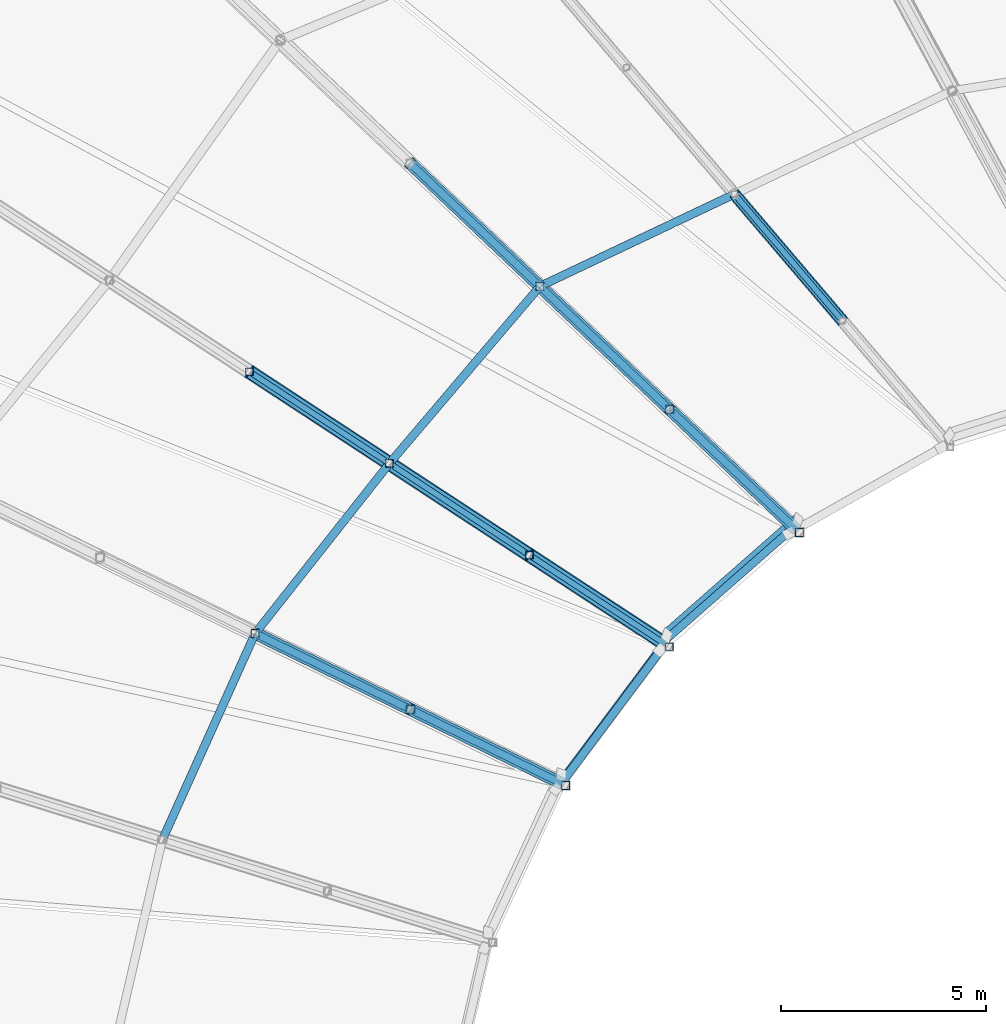
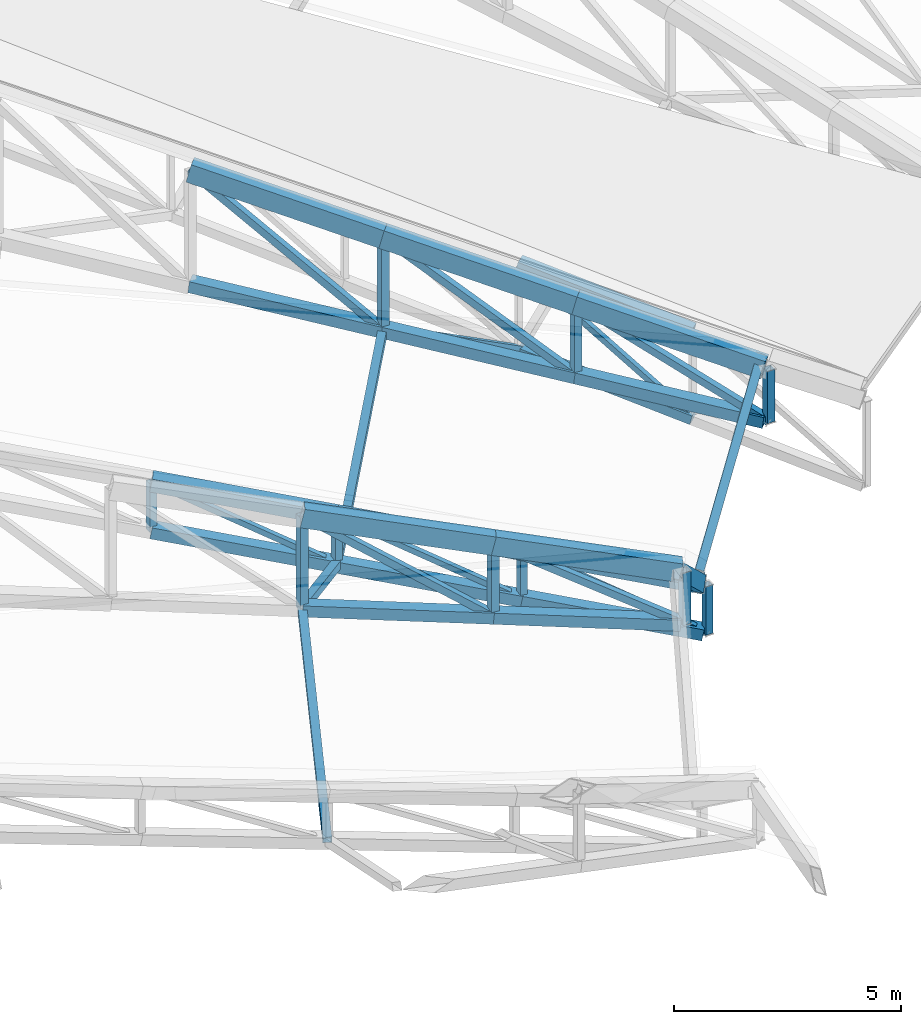
# One storey, part 134 of 344: 41 members, 2 beams.
"""IFC4 building model written with IfcOpenShell, lengths in metres."""

from ifc_helpers import new_model, si_unit, direction, frame, origin, origin_2d, place, context, subcontext, project, spatial, hollow_rectangle, extrude, material, material_profile, profile_set, type_object, element, save


model = new_model("IFC4")

# Units and contexts
model_context = context("Model", 3, precision=1e-05, world=origin(), true_north=direction((0.0, 1.0)))
body_context = subcontext(model_context, "Body", "Model", "MODEL_VIEW")
ifc_project = project(units=[si_unit("LENGTHUNIT", "METRE"), si_unit("AREAUNIT", "SQUARE_METRE"), si_unit("VOLUMEUNIT", "CUBIC_METRE"), si_unit("PLANEANGLEUNIT", "RADIAN"), si_unit("MASSUNIT", "GRAM", prefix="KILO")], contexts=[model_context])

# Site, building, storey
site_placement = place(None, origin())
site = spatial("IfcSite", under=ifc_project, at=site_placement, CompositionType="ELEMENT")
building_placement = place(site_placement, origin())
building = spatial("IfcBuilding", under=site, at=building_placement, Name="Meseta Stadium", CompositionType="ELEMENT")
storey_placement = place(building_placement, frame((0.0, 0.0, 24.0)))
storey = spatial("IfcBuildingStorey", under=building, at=storey_placement, Name="L04", CompositionType="ELEMENT", Elevation=24.0)

# Beams
ifc_material_1 = material(Name="Steel S355", Category="steel")
ifc_material_profile_1 = material_profile(ifc_material_1, hollow_rectangle(XDim=0.199951171875, YDim=0.39990234375, WallThickness=0.01611328125, at=origin_2d()), Name="RHS 400x200x16")
ifc_profile_set_1 = profile_set([ifc_material_profile_1], Name="Steel S355")
beam_type = type_object("IfcBeamType", Name="RHS 400x200x16 tip ring beam", PredefinedType="BEAM", material=ifc_profile_set_1)
beam_1_placement = place(storey_placement, frame((-38.456298828125, 62.0361328125, 4.0947265625), z_axis=(-0.615345176385, -0.540726437381, -0.573554909155), x_axis=(0.759396114037, -0.60174746009, -0.247421778064)))
element("IfcBeam", 1, at=beam_1_placement, inside=storey, type_object=beam_type, Name="TIP RING BEAM 25", PredefinedType="BEAM", context=body_context, shape_type="SweptSolid", body=[
    extrude(hollow_rectangle(XDim=0.199951171875, YDim=0.39990234375, WallThickness=0.01611328125, at=origin_2d()), origin(), (0.0, 0.0, 1.0), 5.176025390625),
])
beam_2_placement = place(storey_placement, frame((-41.80712890625, 58.879638671875, 1.111572265625), z_axis=(-0.473266288753, -0.633202387881, 0.612432654184), x_axis=(0.77581564209, -0.628917502408, -0.050723413267)))
element("IfcBeam", 2, at=beam_2_placement, inside=storey, type_object=beam_type, Name="TIP RING BEAM 26", PredefinedType="BEAM", context=body_context, shape_type="SweptSolid", body=[
    extrude(hollow_rectangle(XDim=0.199951171875, YDim=0.39990234375, WallThickness=0.01611328125, at=origin_2d()), origin(), (0.0, 0.0, 1.0), 5.336669921875),
])

# Members
ifc_material_2 = material(Name="Steel S355", Category="steel")
ifc_material_profile_2 = material_profile(ifc_material_2, hollow_rectangle(XDim=0.300048828125, YDim=0.5, WallThickness=0.01611328125, at=origin_2d()), Name="RHS 500x300x16")
ifc_profile_set_2 = profile_set([ifc_material_profile_2], Name="Steel S355")
member_type_1 = type_object("IfcMemberType", Name="RHS 500x300x16 top chord", PredefinedType="CHORD", material=ifc_profile_set_2)
member_1_placement = place(storey_placement, frame((-38.4765625, 61.819091796875, 3.982177734375), z_axis=(-0.704897663376, 0.668535218838, 0.237023090312), x_axis=(-0.688144575089, -0.725573596388, 0.0)))
element("IfcMember", 3, at=member_1_placement, inside=storey, type_object=member_type_1, Name="ROOF TRUSS RT-24 top chord", PredefinedType="CHORD", context=body_context, shape_type="SweptSolid", body=[
    extrude(hollow_rectangle(XDim=0.300048828125, YDim=0.5, WallThickness=0.01611328125, at=origin_2d()), origin(), (0.0, 0.0, 1.0), 4.39111328125),
])
member_2_placement = place(storey_placement, frame((-41.57177734375, 64.754638671875, 5.02294921875), z_axis=(-0.704890804019, 0.668520917555, 0.237083818936), x_axis=(-0.688140350493, -0.725577603033, 0.0)))
element("IfcMember", 4, at=member_2_placement, inside=storey, type_object=member_type_1, Name="ROOF TRUSS RT-24 top chord", PredefinedType="CHORD", context=body_context, shape_type="SweptSolid", body=[
    extrude(hollow_rectangle(XDim=0.300048828125, YDim=0.5, WallThickness=0.01611328125, at=origin_2d()), origin(), (0.0, 0.0, 1.0), 4.49072265625),
])
member_3_placement = place(storey_placement, frame((-44.7373046875, 67.7568359375, 6.087646484375), z_axis=(-0.704901620819, 0.668533981093, 0.237014811967), x_axis=(-0.688141870449, -0.725576161499, 0.0)))
element("IfcMember", 5, at=member_3_placement, inside=storey, type_object=member_type_1, Name="ROOF TRUSS RT-24 top chord", PredefinedType="CHORD", context=body_context, shape_type="SweptSolid", body=[
    extrude(hollow_rectangle(XDim=0.300048828125, YDim=0.5, WallThickness=0.01611328125, at=origin_2d()), origin(), (0.0, 0.0, 1.0), 4.490966796875),
])
member_4_placement = place(storey_placement, frame((-44.19580078125, 55.623779296875, 4.30029296875), z_axis=(-0.876453366005, 0.42917587787, 0.218260310347), x_axis=(-0.439778683987, -0.898106179197, 0.0)))
element("IfcMember", 6, at=member_4_placement, inside=storey, type_object=member_type_1, Name="ROOF TRUSS RT-26 top chord", PredefinedType="CHORD", context=body_context, shape_type="SweptSolid", body=[
    extrude(hollow_rectangle(XDim=0.300048828125, YDim=0.5, WallThickness=0.01611328125, at=origin_2d()), origin(), (0.0, 0.0, 1.0), 4.221435546875),
])
member_5_placement = place(storey_placement, frame((-47.895751953125, 57.435546875, 5.2216796875), z_axis=(-0.876487635382, 0.429120211303, 0.218232145374), x_axis=(-0.439718804076, -0.89813549832, 0.0)))
element("IfcMember", 7, at=member_5_placement, inside=storey, type_object=member_type_1, Name="ROOF TRUSS RT-26 top chord", PredefinedType="CHORD", context=body_context, shape_type="SweptSolid", body=[
    extrude(hollow_rectangle(XDim=0.300048828125, YDim=0.5, WallThickness=0.01611328125, at=origin_2d()), origin(), (0.0, 0.0, 1.0), 4.321533203125),
])
ifc_material_3 = material(Name="Steel S355", Category="steel")
ifc_material_profile_3 = material_profile(ifc_material_3, hollow_rectangle(XDim=0.139892578125, YDim=0.139892578125, WallThickness=0.0048828125, at=origin_2d()), Name="SHS 140x140x5")
ifc_profile_set_3 = profile_set([ifc_material_profile_3], Name="Steel S355")
member_type_2 = type_object("IfcMemberType", Name="SHS 140x140x5 diagonal", PredefinedType="BRACE", material=ifc_profile_set_3)
member_6_placement = place(storey_placement, frame((-37.35693359375, 66.916748046875, -0.861083984375), z_axis=(-0.511354517363, 0.59953379431, 0.615691308248), x_axis=(-0.760841810831, -0.64893739212, 0.0)))
element("IfcMember", 8, at=member_6_placement, inside=storey, type_object=member_type_2, Name="ROOF TRUSS RT-23 diagonal", PredefinedType="BRACE", context=body_context, shape_type="SweptSolid", body=[
    extrude(hollow_rectangle(XDim=0.139892578125, YDim=0.139892578125, WallThickness=0.0048828125, at=origin_2d()), origin(), (0.0, 0.0, 1.0), 5.152587890625),
])
member_7_placement = place(storey_placement, frame((-41.57958984375, 58.963623046875, -0.331298828125), z_axis=(-0.746894025117, 0.489171261981, 0.450400701261), x_axis=(-0.547890600116, -0.836549992711, 0.0)))
element("IfcMember", 9, at=member_7_placement, inside=storey, type_object=member_type_2, Name="ROOF TRUSS RT-25 diagonal", PredefinedType="BRACE", context=body_context, shape_type="SweptSolid", body=[
    extrude(hollow_rectangle(XDim=0.139892578125, YDim=0.139892578125, WallThickness=0.0048828125, at=origin_2d()), origin(), (0.0, 0.0, 1.0), 4.57177734375),
])
for number, where, z_axis, x_axis, name in (
    (10, (-44.994140625, 61.199951171875, 0.427978515625), (-0.74689812517, 0.489192373252, 0.450370972166), (-0.547905042456, -0.836540533657, 0.0), "ROOF TRUSS RT-25 diagonal"),
    (11, (-48.408935546875, 63.4365234375, 1.18701171875), (-0.746899671396, 0.489139986415, 0.450425304084), (-0.547863186454, -0.836567946391, 0.0), "ROOF TRUSS RT-25 diagonal"),
):
    element("IfcMember", number, at=place(storey_placement, frame(where, z_axis=z_axis, x_axis=x_axis)), inside=storey, type_object=member_type_2, Name=name, PredefinedType="BRACE", context=body_context, shape_type="SweptSolid", body=[
        extrude(hollow_rectangle(XDim=0.139892578125, YDim=0.139892578125, WallThickness=0.0048828125, at=origin_2d()), origin(), (0.0, 0.0, 1.0), 4.572021484375),
    ])
ifc_material_4 = material(Name="Steel S355", Category="steel")
ifc_material_profile_4 = material_profile(ifc_material_4, hollow_rectangle(XDim=0.179931640625, YDim=0.179931640625, WallThickness=0.00634765625, at=origin_2d()), Name="SHS 180x180x6.3")
ifc_profile_set_4 = profile_set([ifc_material_profile_4], Name="Steel S355")
member_type_3 = type_object("IfcMemberType", Name="SHS 180x180x6.3 diagonal", PredefinedType="BRACE", material=ifc_profile_set_4)
member_8_placement = place(storey_placement, frame((-38.40625, 61.752197265625, 2.55859375), z_axis=(-0.631739033936, 0.59919224428, 0.491807327514), x_axis=(-0.688169809663, -0.725549662717, 0.0)))
element("IfcMember", 12, at=member_8_placement, inside=storey, type_object=member_type_3, Name="ROOF TRUSS RT-24 diagonal", PredefinedType="BRACE", context=body_context, shape_type="SweptSolid", body=[
    extrude(hollow_rectangle(XDim=0.179931640625, YDim=0.179931640625, WallThickness=0.00634765625, at=origin_2d()), origin(), (0.0, 0.0, 1.0), 5.0107421875),
])
member_9_placement = place(storey_placement, frame((-41.57177734375, 64.754638671875, 3.07080078125), z_axis=(-0.596790309049, 0.565998027948, 0.568759667509), x_axis=(-0.688140350493, -0.725577603033, 0.0)))
element("IfcMember", 13, at=member_9_placement, inside=storey, type_object=member_type_3, Name="ROOF TRUSS RT-24 diagonal", PredefinedType="BRACE", context=body_context, shape_type="SweptSolid", body=[
    extrude(hollow_rectangle(XDim=0.179931640625, YDim=0.179931640625, WallThickness=0.00634765625, at=origin_2d()), origin(), (0.0, 0.0, 1.0), 5.30419921875),
])
member_10_placement = place(storey_placement, frame((-44.7373046875, 67.7568359375, 3.583251953125), z_axis=(-0.561626335542, 0.532650626552, 0.633134400629), x_axis=(-0.688141870449, -0.725576161499, 0.0)))
element("IfcMember", 14, at=member_10_placement, inside=storey, type_object=member_type_3, Name="ROOF TRUSS RT-24 diagonal", PredefinedType="BRACE", context=body_context, shape_type="SweptSolid", body=[
    extrude(hollow_rectangle(XDim=0.179931640625, YDim=0.179931640625, WallThickness=0.00634765625, at=origin_2d()), origin(), (0.0, 0.0, 1.0), 5.63671875),
])
member_11_placement = place(storey_placement, frame((-44.108154296875, 55.580810546875, 2.87841796875), z_axis=(-0.785058518827, 0.384432742525, 0.485689806865), x_axis=(-0.43978836159, -0.898101440267, 0.0)))
element("IfcMember", 15, at=member_11_placement, inside=storey, type_object=member_type_3, Name="ROOF TRUSS RT-26 diagonal", PredefinedType="BRACE", context=body_context, shape_type="SweptSolid", body=[
    extrude(hollow_rectangle(XDim=0.179931640625, YDim=0.179931640625, WallThickness=0.00634765625, at=origin_2d()), origin(), (0.0, 0.0, 1.0), 4.82470703125),
])
member_12_placement = place(storey_placement, frame((-47.895751953125, 57.435546875, 3.274169921875), z_axis=(-0.740828098202, 0.362702561002, 0.565349963436), x_axis=(-0.439718804076, -0.89813549832, 0.0)))
element("IfcMember", 16, at=member_12_placement, inside=storey, type_object=member_type_3, Name="ROOF TRUSS RT-26 diagonal", PredefinedType="BRACE", context=body_context, shape_type="SweptSolid", body=[
    extrude(hollow_rectangle(XDim=0.179931640625, YDim=0.179931640625, WallThickness=0.00634765625, at=origin_2d()), origin(), (0.0, 0.0, 1.0), 5.113037109375),
])
ifc_material_5 = material(Name="Steel S355", Category="steel")
ifc_material_profile_5 = material_profile(ifc_material_5, hollow_rectangle(XDim=0.179931640625, YDim=0.179931640625, WallThickness=0.00634765625, at=origin_2d()), Name="SHS 180x180x6.3")
ifc_profile_set_5 = profile_set([ifc_material_profile_5], Name="Steel S355")
member_type_4 = type_object("IfcMemberType", Name="SHS 180x180x6.3 post", PredefinedType="POST", material=ifc_profile_set_5)
member_13_placement = place(storey_placement, frame((-44.994140625, 61.199951171875, 0.427978515625), z_axis=(0.0, 0.0, 1.0), x_axis=(1.0, 0.0, 0.0)))
element("IfcMember", 17, at=member_13_placement, inside=storey, type_object=member_type_4, Name="ROOF TRUSS RT-25 post", PredefinedType="POST", context=body_context, shape_type="SweptSolid", body=[
    extrude(hollow_rectangle(XDim=0.179931640625, YDim=0.179931640625, WallThickness=0.00634765625, at=origin_2d()), origin(), (0.0, 0.0, 1.0), 1.2998046875),
])
for number, where, z_axis, x_axis, name in (
    (18, (-48.408935546875, 63.4365234375, 1.18701171875), (0.0, 0.0, 1.0), (1.0, 0.0, 0.0), "ROOF TRUSS RT-25 post"),
    (19, (-51.82373046875, 65.6728515625, 1.9462890625), (0.0, 0.0, 1.0), (1.0, 0.0, 0.0), "ROOF TRUSS RT-25 post"),
):
    element("IfcMember", number, at=place(storey_placement, frame(where, z_axis=z_axis, x_axis=x_axis)), inside=storey, type_object=member_type_4, Name=name, PredefinedType="POST", context=body_context, shape_type="SweptSolid", body=[
        extrude(hollow_rectangle(XDim=0.179931640625, YDim=0.179931640625, WallThickness=0.00634765625, at=origin_2d()), origin(), (0.0, 0.0, 1.0), 1.300048828125),
    ])
ifc_material_6 = material(Name="Steel S355", Category="steel")
ifc_material_profile_6 = material_profile(ifc_material_6, hollow_rectangle(XDim=0.179931640625, YDim=0.179931640625, WallThickness=0.00634765625, at=origin_2d()), Name="SHS 180x180x6.3")
ifc_profile_set_6 = profile_set([ifc_material_profile_6], Name="Steel S355")
member_type_5 = type_object("IfcMemberType", Name="SHS 180x180x6.3 rim post", PredefinedType="POST", material=ifc_profile_set_6)
member_14_placement = place(storey_placement, frame((-41.57958984375, 58.963623046875, -0.331298828125), z_axis=(0.0, 0.0, 1.0), x_axis=(1.0, 0.0, 0.0)))
element("IfcMember", 20, at=member_14_placement, inside=storey, type_object=member_type_5, Name="ROOF TRUSS RT-25 post", PredefinedType="POST", context=body_context, shape_type="SweptSolid", body=[
    extrude(hollow_rectangle(XDim=0.179931640625, YDim=0.179931640625, WallThickness=0.00634765625, at=origin_2d()), origin(), (0.0, 0.0, 1.0), 1.300048828125),
])
ifc_material_7 = material(Name="Steel S355", Category="steel")
ifc_material_profile_7 = material_profile(ifc_material_7, hollow_rectangle(XDim=0.199951171875, YDim=0.199951171875, WallThickness=0.008056640625, at=origin_2d()), Name="SHS 200x200x8")
ifc_profile_set_7 = profile_set([ifc_material_profile_7], Name="Steel S355")
member_type_6 = type_object("IfcMemberType", Name="SHS 200x200x8 post", PredefinedType="POST", material=ifc_profile_set_7)
member_15_placement = place(storey_placement, frame((-41.57177734375, 64.754638671875, 3.07080078125), z_axis=(0.0, 0.0, 1.0), x_axis=(1.0, 0.0, 0.0)))
element("IfcMember", 21, at=member_15_placement, inside=storey, type_object=member_type_6, Name="ROOF TRUSS RT-24 post", PredefinedType="POST", context=body_context, shape_type="SweptSolid", body=[
    extrude(hollow_rectangle(XDim=0.199951171875, YDim=0.199951171875, WallThickness=0.008056640625, at=origin_2d()), origin(), (0.0, 0.0, 1.0), 1.9521484375),
])
member_16_placement = place(storey_placement, frame((-44.7373046875, 67.7568359375, 3.583251953125), z_axis=(0.0, 0.0, 1.0), x_axis=(1.0, 0.0, 0.0)))
element("IfcMember", 22, at=member_16_placement, inside=storey, type_object=member_type_6, Name="ROOF TRUSS RT-24 post", PredefinedType="POST", context=body_context, shape_type="SweptSolid", body=[
    extrude(hollow_rectangle(XDim=0.199951171875, YDim=0.199951171875, WallThickness=0.008056640625, at=origin_2d()), origin(), (0.0, 0.0, 1.0), 2.50439453125),
])
member_17_placement = place(storey_placement, frame((-47.895751953125, 57.435546875, 3.274169921875), z_axis=(0.0, 0.0, 1.0), x_axis=(1.0, 0.0, 0.0)))
element("IfcMember", 23, at=member_17_placement, inside=storey, type_object=member_type_6, Name="ROOF TRUSS RT-26 post", PredefinedType="POST", context=body_context, shape_type="SweptSolid", body=[
    extrude(hollow_rectangle(XDim=0.199951171875, YDim=0.199951171875, WallThickness=0.008056640625, at=origin_2d()), origin(), (0.0, 0.0, 1.0), 1.947509765625),
])
member_18_placement = place(storey_placement, frame((-51.68359375, 59.2900390625, 3.670166015625), z_axis=(0.0, 0.0, 1.0), x_axis=(1.0, 0.0, 0.0)))
element("IfcMember", 24, at=member_18_placement, inside=storey, type_object=member_type_6, Name="ROOF TRUSS RT-26 post", PredefinedType="POST", context=body_context, shape_type="SweptSolid", body=[
    extrude(hollow_rectangle(XDim=0.199951171875, YDim=0.199951171875, WallThickness=0.008056640625, at=origin_2d()), origin(), (0.0, 0.0, 1.0), 2.49462890625),
])
ifc_material_8 = material(Name="Steel S355", Category="steel")
ifc_material_profile_8 = material_profile(ifc_material_8, hollow_rectangle(XDim=0.199951171875, YDim=0.199951171875, WallThickness=0.008056640625, at=origin_2d()), Name="SHS 200x200x8")
ifc_profile_set_8 = profile_set([ifc_material_profile_8], Name="Steel S355")
member_type_7 = type_object("IfcMemberType", Name="SHS 200x200x8 rim post", PredefinedType="POST", material=ifc_profile_set_8)
member_19_placement = place(storey_placement, frame((-38.40625, 61.752197265625, 2.55859375), z_axis=(0.0, 0.0, 1.0), x_axis=(1.0, 0.0, 0.0)))
element("IfcMember", 25, at=member_19_placement, inside=storey, type_object=member_type_7, Name="ROOF TRUSS RT-24 post", PredefinedType="POST", context=body_context, shape_type="SweptSolid", body=[
    extrude(hollow_rectangle(XDim=0.199951171875, YDim=0.199951171875, WallThickness=0.008056640625, at=origin_2d()), origin(), (0.0, 0.0, 1.0), 1.39990234375),
])
member_20_placement = place(storey_placement, frame((-44.108154296875, 55.580810546875, 2.87841796875), z_axis=(0.0, 0.0, 1.0), x_axis=(1.0, 0.0, 0.0)))
element("IfcMember", 26, at=member_20_placement, inside=storey, type_object=member_type_7, Name="ROOF TRUSS RT-26 post", PredefinedType="POST", context=body_context, shape_type="SweptSolid", body=[
    extrude(hollow_rectangle(XDim=0.199951171875, YDim=0.199951171875, WallThickness=0.008056640625, at=origin_2d()), origin(), (0.0, 0.0, 1.0), 1.400146484375),
])
ifc_material_9 = material(Name="Steel S355", Category="steel")
ifc_material_profile_9 = material_profile(ifc_material_9, hollow_rectangle(XDim=0.199951171875, YDim=0.199951171875, WallThickness=0.008056640625, at=origin_2d()), Name="SHS 200x200x8")
ifc_profile_set_9 = profile_set([ifc_material_profile_9], Name="Steel S355")
member_type_8 = type_object("IfcMemberType", Name="SHS 200x200x8 strut", PredefinedType="STRUT", material=ifc_profile_set_9)
member_21_placement = place(storey_placement, frame((-39.99169921875, 70.005859375, 0.01123046875), z_axis=(-0.747193853517, -0.354107921525, 0.562413482396), x_axis=(0.428258199663, -0.903656413922, 0.0)))
element("IfcMember", 27, at=member_21_placement, inside=storey, type_object=member_type_8, Name="ROOF TRUSS STRUT RT-23/24", PredefinedType="STRUT", context=body_context, shape_type="SweptSolid", body=[
    extrude(hollow_rectangle(XDim=0.199951171875, YDim=0.199951171875, WallThickness=0.008056640625, at=origin_2d()), origin(), (0.0, 0.0, 1.0), 6.351318359375),
])
member_22_placement = place(storey_placement, frame((-44.7373046875, 67.7568359375, 3.583251953125), z_axis=(-0.596497340745, -0.70188290058, -0.389295923892), x_axis=(0.761994562128, -0.647583421103, 0.0)))
element("IfcMember", 28, at=member_22_placement, inside=storey, type_object=member_type_8, Name="ROOF TRUSS STRUT RT-24/25", PredefinedType="STRUT", context=body_context, shape_type="SweptSolid", body=[
    extrude(hollow_rectangle(XDim=0.199951171875, YDim=0.199951171875, WallThickness=0.008056640625, at=origin_2d()), origin(), (0.0, 0.0, 1.0), 6.1552734375),
])
member_23_placement = place(storey_placement, frame((-48.408935546875, 63.4365234375, 1.18701171875), z_axis=(-0.560916877084, -0.710252161366, 0.425340010201), x_axis=(0.784779853435, -0.619774621651, 0.0)))
element("IfcMember", 29, at=member_23_placement, inside=storey, type_object=member_type_8, Name="ROOF TRUSS STRUT RT-25/26", PredefinedType="STRUT", context=body_context, shape_type="SweptSolid", body=[
    extrude(hollow_rectangle(XDim=0.199951171875, YDim=0.199951171875, WallThickness=0.008056640625, at=origin_2d()), origin(), (0.0, 0.0, 1.0), 5.838134765625),
])
member_24_placement = place(storey_placement, frame((-51.68359375, 59.2900390625, 3.670166015625), z_axis=(-0.376136840231, -0.836418627786, -0.398653930764), x_axis=(0.912024117688, -0.410136573297, 0.0)))
element("IfcMember", 30, at=member_24_placement, inside=storey, type_object=member_type_8, Name="ROOF TRUSS STRUT RT-26/27", PredefinedType="STRUT", context=body_context, shape_type="SweptSolid", body=[
    extrude(hollow_rectangle(XDim=0.199951171875, YDim=0.199951171875, WallThickness=0.008056640625, at=origin_2d()), origin(), (0.0, 0.0, 1.0), 6.017578125),
])
ifc_material_10 = material(Name="Steel S355", Category="steel")
ifc_material_profile_10 = material_profile(ifc_material_10, hollow_rectangle(XDim=0.25, YDim=0.25, WallThickness=0.010009765625, at=origin_2d()), Name="SHS 250x250x10")
ifc_profile_set_10 = profile_set([ifc_material_profile_10], Name="Steel S355")
member_type_9 = type_object("IfcMemberType", Name="SHS 250x250x10 bottom chord", PredefinedType="CHORD", material=ifc_profile_set_10)
member_25_placement = place(storey_placement, frame((-37.35693359375, 66.916748046875, -0.861083984375), z_axis=(-0.634459201968, 0.74386696465, 0.210055849577), x_axis=(-0.760841810831, -0.64893739212, 0.0)))
element("IfcMember", 31, at=member_25_placement, inside=storey, type_object=member_type_9, Name="ROOF TRUSS RT-23 bottom chord", PredefinedType="CHORD", context=body_context, shape_type="SweptSolid", body=[
    extrude(hollow_rectangle(XDim=0.25, YDim=0.25, WallThickness=0.010009765625, at=origin_2d()), origin(), (0.0, 0.0, 1.0), 4.15283203125),
])
ifc_material_11 = material(Name="Steel S355", Category="steel")
ifc_material_profile_11 = material_profile(ifc_material_11, hollow_rectangle(XDim=0.300048828125, YDim=0.300048828125, WallThickness=0.010009765625, at=origin_2d()), Name="SHS 300x300x10")
ifc_profile_set_11 = profile_set([ifc_material_profile_11], Name="Steel S355")
member_type_10 = type_object("IfcMemberType", Name="SHS 300x300x10 bottom chord", PredefinedType="CHORD", material=ifc_profile_set_11)
member_26_placement = place(storey_placement, frame((-38.478271484375, 61.820556640625, 2.5703125), z_axis=(-0.720607583037, 0.683471070392, 0.116584764046), x_axis=(-0.688163834872, -0.725555329644, 0.0)))
element("IfcMember", 32, at=member_26_placement, inside=storey, type_object=member_type_10, Name="ROOF TRUSS RT-24 bottom chord", PredefinedType="CHORD", context=body_context, shape_type="SweptSolid", body=[
    extrude(hollow_rectangle(XDim=0.300048828125, YDim=0.300048828125, WallThickness=0.010009765625, at=origin_2d()), origin(), (0.0, 0.0, 1.0), 4.29296875),
])
member_27_placement = place(storey_placement, frame((-41.57177734375, 64.754638671875, 3.07080078125), z_axis=(-0.720623458247, 0.683441822155, 0.116658077962), x_axis=(-0.688140350493, -0.725577603033, 0.0)))
element("IfcMember", 33, at=member_27_placement, inside=storey, type_object=member_type_10, Name="ROOF TRUSS RT-24 bottom chord", PredefinedType="CHORD", context=body_context, shape_type="SweptSolid", body=[
    extrude(hollow_rectangle(XDim=0.300048828125, YDim=0.300048828125, WallThickness=0.010009765625, at=origin_2d()), origin(), (0.0, 0.0, 1.0), 4.392822265625),
])
member_28_placement = place(storey_placement, frame((-44.7373046875, 67.7568359375, 3.583251953125), z_axis=(-0.720622802314, 0.683444067468, 0.116648975249), x_axis=(-0.688141870449, -0.725576161499, 0.0)))
element("IfcMember", 34, at=member_28_placement, inside=storey, type_object=member_type_10, Name="ROOF TRUSS RT-24 bottom chord", PredefinedType="CHORD", context=body_context, shape_type="SweptSolid", body=[
    extrude(hollow_rectangle(XDim=0.300048828125, YDim=0.300048828125, WallThickness=0.010009765625, at=origin_2d()), origin(), (0.0, 0.0, 1.0), 4.39306640625),
])
member_29_placement = place(storey_placement, frame((-41.653564453125, 59.01220703125, -0.31494140625), z_axis=(-0.822452730761, 0.538624491731, 0.182907524644), x_axis=(-0.547866939989, -0.836565488212, 0.0)))
element("IfcMember", 35, at=member_29_placement, inside=storey, type_object=member_type_10, Name="ROOF TRUSS RT-25 bottom chord", PredefinedType="CHORD", context=body_context, shape_type="SweptSolid", body=[
    extrude(hollow_rectangle(XDim=0.300048828125, YDim=0.300048828125, WallThickness=0.010009765625, at=origin_2d()), origin(), (0.0, 0.0, 1.0), 4.061767578125),
])
member_30_placement = place(storey_placement, frame((-44.994140625, 61.199951171875, 0.427978515625), z_axis=(-0.822443231826, 0.538671798581, 0.182810896386), x_axis=(-0.547905042456, -0.836540533657, 0.0)))
element("IfcMember", 36, at=member_30_placement, inside=storey, type_object=member_type_10, Name="ROOF TRUSS RT-25 bottom chord", PredefinedType="CHORD", context=body_context, shape_type="SweptSolid", body=[
    extrude(hollow_rectangle(XDim=0.300048828125, YDim=0.300048828125, WallThickness=0.010009765625, at=origin_2d()), origin(), (0.0, 0.0, 1.0), 4.152099609375),
])
member_31_placement = place(storey_placement, frame((-48.408935546875, 63.4365234375, 1.18701171875), z_axis=(-0.822460438995, 0.538624266904, 0.182873522934), x_axis=(-0.547863186454, -0.836567946391, 0.0)))
element("IfcMember", 37, at=member_31_placement, inside=storey, type_object=member_type_10, Name="ROOF TRUSS RT-25 bottom chord", PredefinedType="CHORD", context=body_context, shape_type="SweptSolid", body=[
    extrude(hollow_rectangle(XDim=0.300048828125, YDim=0.300048828125, WallThickness=0.010009765625, at=origin_2d()), origin(), (0.0, 0.0, 1.0), 4.15185546875),
])
member_32_placement = place(storey_placement, frame((-44.197509765625, 55.624755859375, 2.8876953125), z_axis=(-0.894189820313, 0.437827165122, 0.09344484325), x_axis=(-0.439751315494, -0.898119580302, 0.0)))
element("IfcMember", 38, at=member_32_placement, inside=storey, type_object=member_type_10, Name="ROOF TRUSS RT-26 bottom chord", PredefinedType="CHORD", context=body_context, shape_type="SweptSolid", body=[
    extrude(hollow_rectangle(XDim=0.300048828125, YDim=0.300048828125, WallThickness=0.010009765625, at=origin_2d()), origin(), (0.0, 0.0, 1.0), 4.1357421875),
])
member_33_placement = place(storey_placement, frame((-47.895751953125, 57.435546875, 3.274169921875), z_axis=(-0.894202410479, 0.437793200773, 0.09348348758), x_axis=(-0.439718804076, -0.89813549832, 0.0)))
element("IfcMember", 39, at=member_33_placement, inside=storey, type_object=member_type_10, Name="ROOF TRUSS RT-26 bottom chord", PredefinedType="CHORD", context=body_context, shape_type="SweptSolid", body=[
    extrude(hollow_rectangle(XDim=0.300048828125, YDim=0.300048828125, WallThickness=0.010009765625, at=origin_2d()), origin(), (0.0, 0.0, 1.0), 4.236083984375),
])
ifc_material_12 = material(Name="Steel S355", Category="steel")
ifc_material_profile_12 = material_profile(ifc_material_12, hollow_rectangle(XDim=0.300048828125, YDim=0.300048828125, WallThickness=0.010009765625, at=origin_2d()), Name="SHS 300x300x10")
ifc_profile_set_12 = profile_set([ifc_material_profile_12], Name="Steel S355")
member_type_11 = type_object("IfcMemberType", Name="SHS 300x300x10 top chord", PredefinedType="CHORD", material=ifc_profile_set_12)
member_34_placement = place(storey_placement, frame((-37.35693359375, 66.916748046875, 1.43896484375), z_axis=(-0.634459201968, 0.74386696465, 0.210055849577), x_axis=(-0.760841810831, -0.64893739212, 0.0)))
element("IfcMember", 40, at=member_34_placement, inside=storey, type_object=member_type_11, Name="ROOF TRUSS RT-23 top chord", PredefinedType="CHORD", context=body_context, shape_type="SweptSolid", body=[
    extrude(hollow_rectangle(XDim=0.300048828125, YDim=0.300048828125, WallThickness=0.010009765625, at=origin_2d()), origin(), (0.0, 0.0, 1.0), 4.15283203125),
])
ifc_material_13 = material(Name="Steel S355", Category="steel")
ifc_material_profile_13 = material_profile(ifc_material_13, hollow_rectangle(XDim=0.35009765625, YDim=0.35009765625, WallThickness=0.010009765625, at=origin_2d()), Name="SHS 350x350x10")
ifc_profile_set_13 = profile_set([ifc_material_profile_13], Name="Steel S355")
member_type_12 = type_object("IfcMemberType", Name="SHS 350x350x10 top chord", PredefinedType="CHORD", material=ifc_profile_set_13)
member_35_placement = place(storey_placement, frame((-41.653564453125, 59.01220703125, 0.985107421875), z_axis=(-0.822461771583, 0.538630412567, 0.182849426965), x_axis=(-0.547866939989, -0.836565488212, 0.0)))
element("IfcMember", 41, at=member_35_placement, inside=storey, type_object=member_type_12, Name="ROOF TRUSS RT-25 top chord", PredefinedType="CHORD", context=body_context, shape_type="SweptSolid", body=[
    extrude(hollow_rectangle(XDim=0.35009765625, YDim=0.35009765625, WallThickness=0.010009765625, at=origin_2d()), origin(), (0.0, 0.0, 1.0), 4.061767578125),
])
member_36_placement = place(storey_placement, frame((-44.994140625, 61.199951171875, 1.727783203125), z_axis=(-0.822434389791, 0.538666007355, 0.182867730911), x_axis=(-0.547905042456, -0.836540533657, 0.0)))
element("IfcMember", 42, at=member_36_placement, inside=storey, type_object=member_type_12, Name="ROOF TRUSS RT-25 top chord", PredefinedType="CHORD", context=body_context, shape_type="SweptSolid", body=[
    extrude(hollow_rectangle(XDim=0.35009765625, YDim=0.35009765625, WallThickness=0.010009765625, at=origin_2d()), origin(), (0.0, 0.0, 1.0), 4.152099609375),
])
member_37_placement = place(storey_placement, frame((-48.408935546875, 63.4365234375, 2.487060546875), z_axis=(-0.822460438995, 0.538624266904, 0.182873522934), x_axis=(-0.547863186454, -0.836567946391, 0.0)))
element("IfcMember", 43, at=member_37_placement, inside=storey, type_object=member_type_12, Name="ROOF TRUSS RT-25 top chord", PredefinedType="CHORD", context=body_context, shape_type="SweptSolid", body=[
    extrude(hollow_rectangle(XDim=0.35009765625, YDim=0.35009765625, WallThickness=0.010009765625, at=origin_2d()), origin(), (0.0, 0.0, 1.0), 4.15185546875),
])

save(model, "model.ifc")
